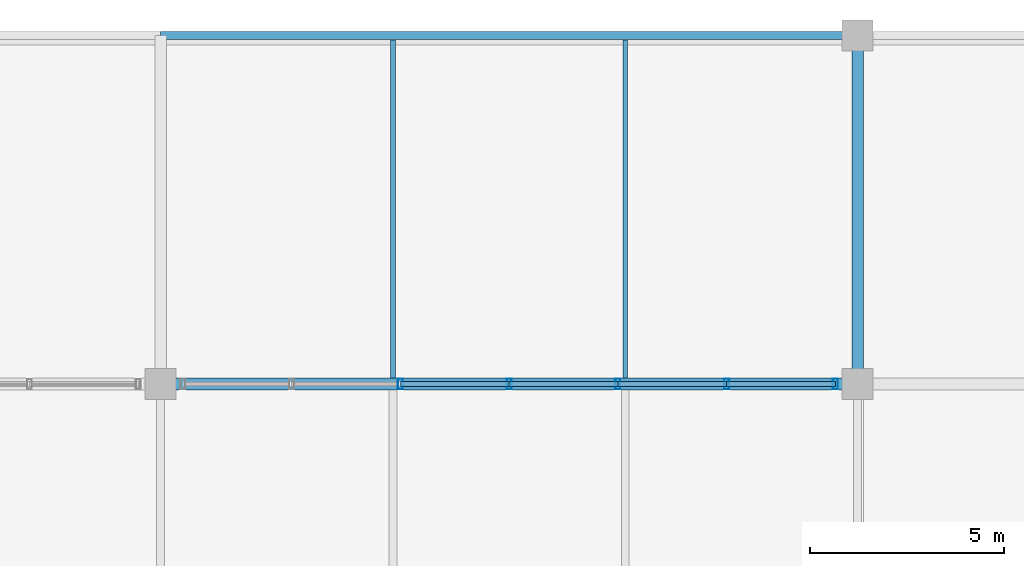
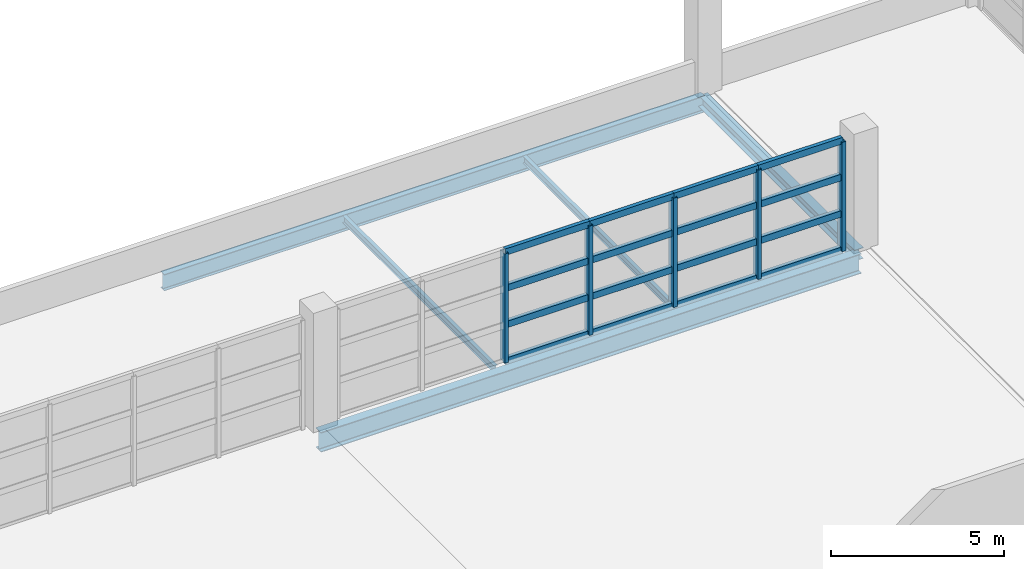
# One storey, part 54 of 136: 21 members, 5 beams, 1 element without a shape of its own.
"""IFC4 building model written with IfcOpenShell, lengths in metres."""

from ifc_helpers import new_model, si_unit, direction, frame, origin, origin_2d, place, context, subcontext, project, spatial, hollow_rectangle, i_section, extrude, material, material_profile, profile_set, type_object, element, aggregate, save


model = new_model("IFC4")

# Units and contexts
model_context = context("Model", 3, precision=1e-05, world=origin(), true_north=direction((0.0, 1.0)))
body_context = subcontext(model_context, "Body", "Model", "MODEL_VIEW")
ifc_project = project(units=[si_unit("LENGTHUNIT", "METRE"), si_unit("AREAUNIT", "SQUARE_METRE"), si_unit("VOLUMEUNIT", "CUBIC_METRE"), si_unit("PLANEANGLEUNIT", "RADIAN"), si_unit("MASSUNIT", "GRAM", prefix="KILO")], contexts=[model_context])

# Site, building, storey
site_placement = place(None, origin())
site = spatial("IfcSite", under=ifc_project, at=site_placement, CompositionType="ELEMENT")
building_placement = place(site_placement, origin())
building = spatial("IfcBuilding", under=site, at=building_placement, Name="Chuanluo Vaults Station", CompositionType="ELEMENT")
storey_placement = place(building_placement, frame((0.0, 0.0, 6.60009765625)))
storey = spatial("IfcBuildingStorey", under=building, at=storey_placement, Name="L01", CompositionType="ELEMENT", Elevation=6.60009765625)

# Beams
ifc_material_1 = material(Name="Steel Q355C", Category="steel")
ifc_material_profile_1 = material_profile(ifc_material_1, i_section(OverallWidth=0.300048828125, OverallDepth=0.389892578125, WebThickness=0.010009765625, FlangeThickness=0.01611328125, FilletRadius=0.02001953125, at=origin_2d()))
ifc_profile_set_1 = profile_set([ifc_material_profile_1], Name="Steel Q355C")
beam_type_1 = type_object("IfcBeamType", Name="BM-GRD-400", PredefinedType="BEAM", material=ifc_profile_set_1)
beam_1_placement = place(storey_placement, frame((108.0, 117.0, -0.400146484375), z_axis=(0.0, 1.0, 0.0), x_axis=(-1.0, 0.0, 0.0)))
element("IfcBeam", 1, at=beam_1_placement, inside=storey, type_object=beam_type_1, Name="Floor girder BM:GY:L01:0449", PredefinedType="BEAM", context=body_context, shape_type="SweptSolid", body=[
    extrude(i_section(OverallWidth=0.300048828125, OverallDepth=0.389892578125, WebThickness=0.010009765625, FlangeThickness=0.01611328125, FilletRadius=0.02001953125, at=origin_2d()), origin(), (0.0, 0.0, 1.0), 9.0),
])
ifc_material_2 = material(Name="Steel Q355C", Category="steel")
ifc_material_profile_2 = material_profile(ifc_material_2, i_section(OverallWidth=0.300048828125, OverallDepth=0.699951171875, WebThickness=0.012939453125, FlangeThickness=0.02392578125, FilletRadius=0.02197265625, at=origin_2d()))
ifc_profile_set_2 = profile_set([ifc_material_profile_2], Name="Steel Q355C")
beam_type_2 = type_object("IfcBeamType", Name="BM-GRD-700", PredefinedType="USERDEFINED", material=ifc_profile_set_2)
beam_2_placement = place(storey_placement, frame((90.0, 117.0, -0.630126953125), z_axis=(1.0, 0.0, 0.0), x_axis=(0.0, 1.0, 0.0)))
element("IfcBeam", 2, at=beam_2_placement, inside=storey, type_object=beam_type_2, Name="Floor girder BM:GX:L01:0382", ObjectType="GIRDER", PredefinedType="USERDEFINED", context=body_context, shape_type="SweptSolid", body=[
    extrude(i_section(OverallWidth=0.300048828125, OverallDepth=0.699951171875, WebThickness=0.012939453125, FlangeThickness=0.02392578125, FilletRadius=0.02197265625, at=origin_2d()), origin(), (0.0, 0.0, 1.0), 18.0),
])
ifc_material_3 = material(Name="Steel Q355C", Category="steel")
ifc_material_profile_3 = material_profile(ifc_material_3, i_section(OverallWidth=0.125, OverallDepth=0.25, WebThickness=0.006103515625, FlangeThickness=0.009033203125, FilletRadius=0.011962890625, at=origin_2d()))
ifc_profile_set_3 = profile_set([ifc_material_profile_3], Name="Steel Q355C")
beam_type_3 = type_object("IfcBeamType", Name="BM-SEC-250", PredefinedType="JOIST", material=ifc_profile_set_3)
for number, where, z_axis, x_axis, name in (
    (3, (96.0, 117.155029296875, -0.330078125), (0.0, 1.0, 0.0), (-1.0, 0.0, 0.0), "Composite secondary joist 0139"),
    (4, (102.0, 117.155029296875, -0.330078125), (0.0, 1.0, 0.0), (-1.0, 0.0, 0.0), "Composite secondary joist 0140"),
):
    element("IfcBeam", number, at=place(storey_placement, frame(where, z_axis=z_axis, x_axis=x_axis)), inside=storey, type_object=beam_type_3, Name=name, PredefinedType="JOIST", context=body_context, shape_type="SweptSolid", body=[
        extrude(i_section(OverallWidth=0.125, OverallDepth=0.25, WebThickness=0.006103515625, FlangeThickness=0.009033203125, FilletRadius=0.011962890625, at=origin_2d()), origin(), (0.0, 0.0, 1.0), 8.73486328125),
    ])
ifc_material_4 = material(Name="Steel Q355C", Category="steel")
ifc_material_profile_4 = material_profile(ifc_material_4, i_section(OverallWidth=0.2099609375, OverallDepth=0.580078125, WebThickness=0.010986328125, FlangeThickness=0.01708984375, FilletRadius=0.01806640625, at=origin_2d()))
ifc_profile_set_4 = profile_set([ifc_material_profile_4], Name="Steel Q355C")
beam_type_4 = type_object("IfcBeamType", Name="BM-SPN-600", PredefinedType="SPANDREL", material=ifc_profile_set_4)
beam_3_placement = place(storey_placement, frame((90.0, 126.0, -0.4951171875), z_axis=(1.0, 0.0, 0.0), x_axis=(0.0, 1.0, 0.0)))
element("IfcBeam", 5, at=beam_3_placement, inside=storey, type_object=beam_type_4, Name="Floor girder BM:GX:L01:0396", PredefinedType="SPANDREL", context=body_context, shape_type="SweptSolid", body=[
    extrude(i_section(OverallWidth=0.2099609375, OverallDepth=0.580078125, WebThickness=0.010986328125, FlangeThickness=0.01708984375, FilletRadius=0.01806640625, at=origin_2d()), origin(), (0.0, 0.0, 1.0), 18.0),
])

# Curtain wall, members
ifc_material_5 = material(Name="Anodised aluminium 6063-T6", Category="aluminium")
curtain_wall_type = type_object("IfcCurtainWallType", Name="CW-SYS-22", PredefinedType="NOTDEFINED", material=ifc_material_5)
curtain_wall_placement = place(storey_placement, origin())
curtain_wall = element("IfcCurtainWall", 6, at=curtain_wall_placement, inside=storey, type_object=curtain_wall_type, Name="Over-track V6 north facade CW", PredefinedType="NOTDEFINED")
ifc_material_6 = material(Name="Anodised aluminium 6063-T6", Category="aluminium")
ifc_material_profile_5 = material_profile(ifc_material_6, hollow_rectangle(XDim=0.1298828125, YDim=0.280029296875, WallThickness=0.007080078125, at=origin_2d()))
ifc_profile_set_5 = profile_set([ifc_material_profile_5], Name="Anodised aluminium 6063-T6")
member_type_1 = type_object("IfcMemberType", Name="CWM-180", PredefinedType="MULLION", material=ifc_profile_set_5)
member_1_placement = place(storey_placement, frame((96.191650390625, 117.0, 0.0), z_axis=(0.0, 0.0, 1.0), x_axis=(1.0, 0.0, 0.0)))
member_1 = element("IfcMember", 7, at=member_1_placement, type_object=member_type_1, Name="Over-track V6 north facade CW mullion 3", PredefinedType="MULLION", context=body_context, shape_type="SweptSolid", body=[
    extrude(hollow_rectangle(XDim=0.1298828125, YDim=0.280029296875, WallThickness=0.007080078125, at=origin_2d()), origin(), (0.0, 0.0, 1.0), 3.849853515625),
])
member_2_placement = place(storey_placement, frame((99.0, 117.0, 0.0), z_axis=(0.0, 0.0, 1.0), x_axis=(1.0, 0.0, 0.0)))
member_2 = element("IfcMember", 8, at=member_2_placement, type_object=member_type_1, Name="Over-track V6 north facade CW mullion 4", PredefinedType="MULLION", context=body_context, shape_type="SweptSolid", body=[
    extrude(hollow_rectangle(XDim=0.1298828125, YDim=0.280029296875, WallThickness=0.007080078125, at=origin_2d()), origin(), (0.0, 0.0, 1.0), 3.849853515625),
])
member_3_placement = place(storey_placement, frame((101.808349609375, 117.0, 0.0), z_axis=(0.0, 0.0, 1.0), x_axis=(1.0, 0.0, 0.0)))
member_3 = element("IfcMember", 9, at=member_3_placement, type_object=member_type_1, Name="Over-track V6 north facade CW mullion 5", PredefinedType="MULLION", context=body_context, shape_type="SweptSolid", body=[
    extrude(hollow_rectangle(XDim=0.1298828125, YDim=0.280029296875, WallThickness=0.007080078125, at=origin_2d()), origin(), (0.0, 0.0, 1.0), 3.849853515625),
])
member_4_placement = place(storey_placement, frame((104.61669921875, 117.0, 0.0), z_axis=(0.0, 0.0, 1.0), x_axis=(1.0, 0.0, 0.0)))
member_4 = element("IfcMember", 10, at=member_4_placement, type_object=member_type_1, Name="Over-track V6 north facade CW mullion 6", PredefinedType="MULLION", context=body_context, shape_type="SweptSolid", body=[
    extrude(hollow_rectangle(XDim=0.1298828125, YDim=0.280029296875, WallThickness=0.007080078125, at=origin_2d()), origin(), (0.0, 0.0, 1.0), 3.849853515625),
])
member_5_placement = place(storey_placement, frame((107.425048828125, 117.0, 0.0), z_axis=(0.0, 0.0, 1.0), x_axis=(1.0, 0.0, 0.0)))
member_5 = element("IfcMember", 11, at=member_5_placement, type_object=member_type_1, Name="Over-track V6 north facade CW mullion 7", PredefinedType="MULLION", context=body_context, shape_type="SweptSolid", body=[
    extrude(hollow_rectangle(XDim=0.1298828125, YDim=0.280029296875, WallThickness=0.007080078125, at=origin_2d()), origin(), (0.0, 0.0, 1.0), 3.849853515625),
])
ifc_material_7 = material(Name="Anodised aluminium 6063-T6", Category="aluminium")
ifc_material_profile_6 = material_profile(ifc_material_7, hollow_rectangle(XDim=0.1298828125, YDim=0.22998046875, WallThickness=0.006103515625, at=origin_2d()))
ifc_profile_set_6 = profile_set([ifc_material_profile_6], Name="Anodised aluminium 6063-T6")
member_type_2 = type_object("IfcMemberType", Name="CWT-150", PredefinedType="USERDEFINED", material=ifc_profile_set_6)
member_6_placement = place(storey_placement, frame((96.191650390625, 117.0, 0.0), z_axis=(1.0, 0.0, 0.0), x_axis=(0.0, 1.0, 0.0)))
member_6 = element("IfcMember", 12, at=member_6_placement, type_object=member_type_2, Name="Over-track V6 north facade CW transom 3.1", ObjectType="TRANSOM", PredefinedType="USERDEFINED", context=body_context, shape_type="SweptSolid", body=[
    extrude(hollow_rectangle(XDim=0.1298828125, YDim=0.22998046875, WallThickness=0.006103515625, at=origin_2d()), origin(), (0.0, 0.0, 1.0), 2.808349609375),
])
member_7_placement = place(storey_placement, frame((96.191650390625, 117.0, 1.283203125), z_axis=(1.0, 0.0, 0.0), x_axis=(0.0, 1.0, 0.0)))
member_7 = element("IfcMember", 13, at=member_7_placement, type_object=member_type_2, Name="Over-track V6 north facade CW transom 3.2", ObjectType="TRANSOM", PredefinedType="USERDEFINED", context=body_context, shape_type="SweptSolid", body=[
    extrude(hollow_rectangle(XDim=0.1298828125, YDim=0.22998046875, WallThickness=0.006103515625, at=origin_2d()), origin(), (0.0, 0.0, 1.0), 2.808349609375),
])
member_8_placement = place(storey_placement, frame((96.191650390625, 117.0, 2.566650390625), z_axis=(1.0, 0.0, 0.0), x_axis=(0.0, 1.0, 0.0)))
member_8 = element("IfcMember", 14, at=member_8_placement, type_object=member_type_2, Name="Over-track V6 north facade CW transom 3.3", ObjectType="TRANSOM", PredefinedType="USERDEFINED", context=body_context, shape_type="SweptSolid", body=[
    extrude(hollow_rectangle(XDim=0.1298828125, YDim=0.22998046875, WallThickness=0.006103515625, at=origin_2d()), origin(), (0.0, 0.0, 1.0), 2.808349609375),
])
member_9_placement = place(storey_placement, frame((96.191650390625, 117.0, 3.849853515625), z_axis=(1.0, 0.0, 0.0), x_axis=(0.0, 1.0, 0.0)))
member_9 = element("IfcMember", 15, at=member_9_placement, type_object=member_type_2, Name="Over-track V6 north facade CW transom 3.4", ObjectType="TRANSOM", PredefinedType="USERDEFINED", context=body_context, shape_type="SweptSolid", body=[
    extrude(hollow_rectangle(XDim=0.1298828125, YDim=0.22998046875, WallThickness=0.006103515625, at=origin_2d()), origin(), (0.0, 0.0, 1.0), 2.808349609375),
])
member_10_placement = place(storey_placement, frame((99.0, 117.0, 0.0), z_axis=(1.0, 0.0, 0.0), x_axis=(0.0, 1.0, 0.0)))
member_10 = element("IfcMember", 16, at=member_10_placement, type_object=member_type_2, Name="Over-track V6 north facade CW transom 4.1", ObjectType="TRANSOM", PredefinedType="USERDEFINED", context=body_context, shape_type="SweptSolid", body=[
    extrude(hollow_rectangle(XDim=0.1298828125, YDim=0.22998046875, WallThickness=0.006103515625, at=origin_2d()), origin(), (0.0, 0.0, 1.0), 2.808349609375),
])
member_11_placement = place(storey_placement, frame((99.0, 117.0, 1.283203125), z_axis=(1.0, 0.0, 0.0), x_axis=(0.0, 1.0, 0.0)))
member_11 = element("IfcMember", 17, at=member_11_placement, type_object=member_type_2, Name="Over-track V6 north facade CW transom 4.2", ObjectType="TRANSOM", PredefinedType="USERDEFINED", context=body_context, shape_type="SweptSolid", body=[
    extrude(hollow_rectangle(XDim=0.1298828125, YDim=0.22998046875, WallThickness=0.006103515625, at=origin_2d()), origin(), (0.0, 0.0, 1.0), 2.808349609375),
])
member_12_placement = place(storey_placement, frame((99.0, 117.0, 2.566650390625), z_axis=(1.0, 0.0, 0.0), x_axis=(0.0, 1.0, 0.0)))
member_12 = element("IfcMember", 18, at=member_12_placement, type_object=member_type_2, Name="Over-track V6 north facade CW transom 4.3", ObjectType="TRANSOM", PredefinedType="USERDEFINED", context=body_context, shape_type="SweptSolid", body=[
    extrude(hollow_rectangle(XDim=0.1298828125, YDim=0.22998046875, WallThickness=0.006103515625, at=origin_2d()), origin(), (0.0, 0.0, 1.0), 2.808349609375),
])
member_13_placement = place(storey_placement, frame((99.0, 117.0, 3.849853515625), z_axis=(1.0, 0.0, 0.0), x_axis=(0.0, 1.0, 0.0)))
member_13 = element("IfcMember", 19, at=member_13_placement, type_object=member_type_2, Name="Over-track V6 north facade CW transom 4.4", ObjectType="TRANSOM", PredefinedType="USERDEFINED", context=body_context, shape_type="SweptSolid", body=[
    extrude(hollow_rectangle(XDim=0.1298828125, YDim=0.22998046875, WallThickness=0.006103515625, at=origin_2d()), origin(), (0.0, 0.0, 1.0), 2.808349609375),
])
member_14_placement = place(storey_placement, frame((101.808349609375, 117.0, 0.0), z_axis=(1.0, 0.0, 0.0), x_axis=(0.0, 1.0, 0.0)))
member_14 = element("IfcMember", 20, at=member_14_placement, type_object=member_type_2, Name="Over-track V6 north facade CW transom 5.1", ObjectType="TRANSOM", PredefinedType="USERDEFINED", context=body_context, shape_type="SweptSolid", body=[
    extrude(hollow_rectangle(XDim=0.1298828125, YDim=0.22998046875, WallThickness=0.006103515625, at=origin_2d()), origin(), (0.0, 0.0, 1.0), 2.808349609375),
])
member_15_placement = place(storey_placement, frame((101.808349609375, 117.0, 1.283203125), z_axis=(1.0, 0.0, 0.0), x_axis=(0.0, 1.0, 0.0)))
member_15 = element("IfcMember", 21, at=member_15_placement, type_object=member_type_2, Name="Over-track V6 north facade CW transom 5.2", ObjectType="TRANSOM", PredefinedType="USERDEFINED", context=body_context, shape_type="SweptSolid", body=[
    extrude(hollow_rectangle(XDim=0.1298828125, YDim=0.22998046875, WallThickness=0.006103515625, at=origin_2d()), origin(), (0.0, 0.0, 1.0), 2.808349609375),
])
member_16_placement = place(storey_placement, frame((101.808349609375, 117.0, 2.566650390625), z_axis=(1.0, 0.0, 0.0), x_axis=(0.0, 1.0, 0.0)))
member_16 = element("IfcMember", 22, at=member_16_placement, type_object=member_type_2, Name="Over-track V6 north facade CW transom 5.3", ObjectType="TRANSOM", PredefinedType="USERDEFINED", context=body_context, shape_type="SweptSolid", body=[
    extrude(hollow_rectangle(XDim=0.1298828125, YDim=0.22998046875, WallThickness=0.006103515625, at=origin_2d()), origin(), (0.0, 0.0, 1.0), 2.808349609375),
])
member_17_placement = place(storey_placement, frame((101.808349609375, 117.0, 3.849853515625), z_axis=(1.0, 0.0, 0.0), x_axis=(0.0, 1.0, 0.0)))
member_17 = element("IfcMember", 23, at=member_17_placement, type_object=member_type_2, Name="Over-track V6 north facade CW transom 5.4", ObjectType="TRANSOM", PredefinedType="USERDEFINED", context=body_context, shape_type="SweptSolid", body=[
    extrude(hollow_rectangle(XDim=0.1298828125, YDim=0.22998046875, WallThickness=0.006103515625, at=origin_2d()), origin(), (0.0, 0.0, 1.0), 2.808349609375),
])
member_18_placement = place(storey_placement, frame((104.61669921875, 117.0, 0.0), z_axis=(1.0, 0.0, 0.0), x_axis=(0.0, 1.0, 0.0)))
member_18 = element("IfcMember", 24, at=member_18_placement, type_object=member_type_2, Name="Over-track V6 north facade CW transom 6.1", ObjectType="TRANSOM", PredefinedType="USERDEFINED", context=body_context, shape_type="SweptSolid", body=[
    extrude(hollow_rectangle(XDim=0.1298828125, YDim=0.22998046875, WallThickness=0.006103515625, at=origin_2d()), origin(), (0.0, 0.0, 1.0), 2.808349609375),
])
member_19_placement = place(storey_placement, frame((104.61669921875, 117.0, 1.283203125), z_axis=(1.0, 0.0, 0.0), x_axis=(0.0, 1.0, 0.0)))
member_19 = element("IfcMember", 25, at=member_19_placement, type_object=member_type_2, Name="Over-track V6 north facade CW transom 6.2", ObjectType="TRANSOM", PredefinedType="USERDEFINED", context=body_context, shape_type="SweptSolid", body=[
    extrude(hollow_rectangle(XDim=0.1298828125, YDim=0.22998046875, WallThickness=0.006103515625, at=origin_2d()), origin(), (0.0, 0.0, 1.0), 2.808349609375),
])
member_20_placement = place(storey_placement, frame((104.61669921875, 117.0, 2.566650390625), z_axis=(1.0, 0.0, 0.0), x_axis=(0.0, 1.0, 0.0)))
member_20 = element("IfcMember", 26, at=member_20_placement, type_object=member_type_2, Name="Over-track V6 north facade CW transom 6.3", ObjectType="TRANSOM", PredefinedType="USERDEFINED", context=body_context, shape_type="SweptSolid", body=[
    extrude(hollow_rectangle(XDim=0.1298828125, YDim=0.22998046875, WallThickness=0.006103515625, at=origin_2d()), origin(), (0.0, 0.0, 1.0), 2.808349609375),
])
member_21_placement = place(storey_placement, frame((104.61669921875, 117.0, 3.849853515625), z_axis=(1.0, 0.0, 0.0), x_axis=(0.0, 1.0, 0.0)))
member_21 = element("IfcMember", 27, at=member_21_placement, type_object=member_type_2, Name="Over-track V6 north facade CW transom 6.4", ObjectType="TRANSOM", PredefinedType="USERDEFINED", context=body_context, shape_type="SweptSolid", body=[
    extrude(hollow_rectangle(XDim=0.1298828125, YDim=0.22998046875, WallThickness=0.006103515625, at=origin_2d()), origin(), (0.0, 0.0, 1.0), 2.808349609375),
])
aggregate(curtain_wall, [member_1, member_2, member_3, member_4, member_5, member_6, member_7, member_8, member_9, member_10, member_11, member_12, member_13, member_14, member_15, member_16, member_17, member_18, member_19, member_20, member_21])

save(model, "model.ifc")
